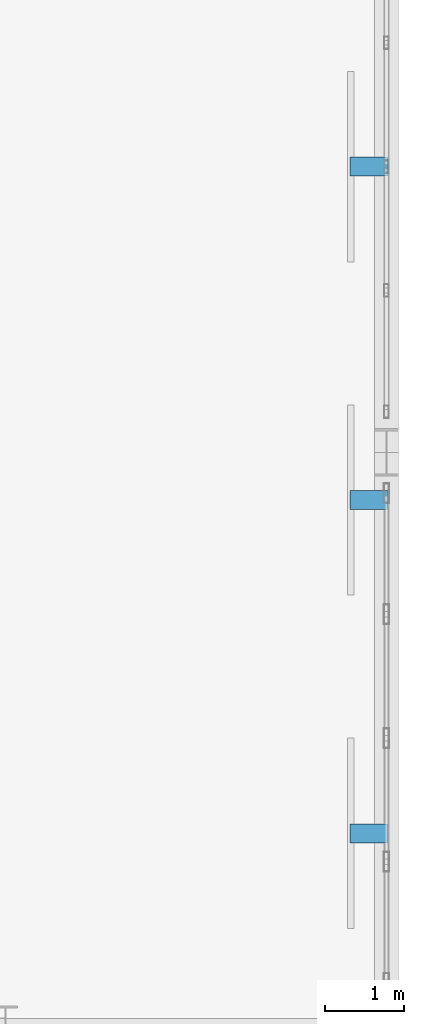
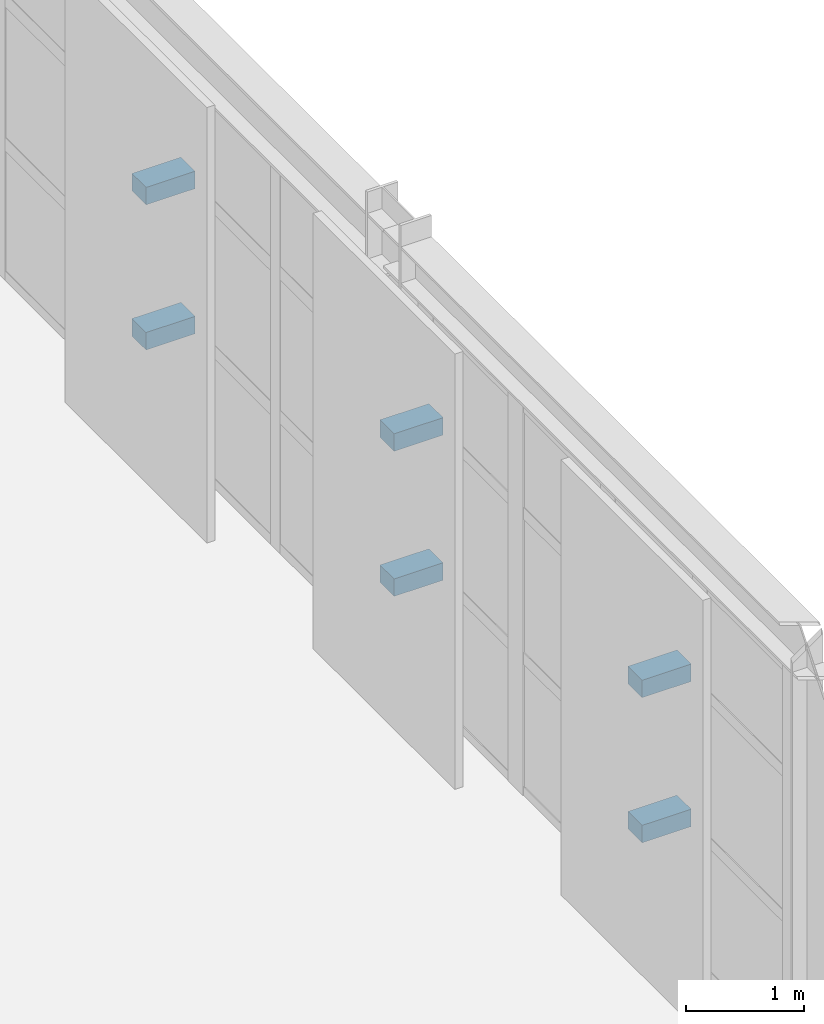
# One storey, part 69 of 83: 6 discrete accessories.
"""IFC4 building model written with IfcOpenShell, lengths in metres."""

from ifc_helpers import new_model, si_unit, direction, frame, origin, origin_2d, place, context, subcontext, project, spatial, rectangle, extrude, material, type_object, element, save


model = new_model("IFC4")

# Units and contexts
model_context = context("Model", 3, precision=1e-05, world=origin(), true_north=direction((0.0, 1.0)))
body_context = subcontext(model_context, "Body", "Model", "MODEL_VIEW")
ifc_project = project(units=[si_unit("LENGTHUNIT", "METRE"), si_unit("AREAUNIT", "SQUARE_METRE"), si_unit("VOLUMEUNIT", "CUBIC_METRE"), si_unit("PLANEANGLEUNIT", "RADIAN"), si_unit("MASSUNIT", "GRAM", prefix="KILO")], contexts=[model_context])

# Site, building, storey
site_placement = place(None, origin())
site = spatial("IfcSite", under=ifc_project, at=site_placement, CompositionType="ELEMENT")
building_placement = place(site_placement, origin())
building = spatial("IfcBuilding", under=site, at=building_placement, Name="Solvadek Multi-Sports Hall", CompositionType="ELEMENT")
storey_placement = place(building_placement, origin())
storey = spatial("IfcBuildingStorey", under=building, at=storey_placement, Name="L00", CompositionType="ELEMENT", Elevation=0.0)

# Discrete accessories
ifc_material = material(Name="Steel E250 (250 MPa)", Category="steel")
discrete_accessory_type = type_object("IfcDiscreteAccessoryType", Name="ENV-BRK-CLEAT", PredefinedType="BRACKET", material=ifc_material)
for number, where, z_axis, x_axis, name in (
    (1, (161.179931640625, 51.60009765625, 1.330078125), (0.0, 0.0, 1.0), (1.0, 0.0, 0.0), "L00 Climbing Wall Stand-Off Bracket #1b"),
    (2, (161.179931640625, 51.60009765625, 2.830078125), (0.0, 0.0, 1.0), (1.0, 0.0, 0.0), "L00 Climbing Wall Stand-Off Bracket #1t"),
    (3, (161.179931640625, 55.800048828125, 1.330078125), (0.0, 0.0, 1.0), (1.0, 0.0, 0.0), "L00 Climbing Wall Stand-Off Bracket #2b"),
    (4, (161.179931640625, 55.800048828125, 2.830078125), (0.0, 0.0, 1.0), (1.0, 0.0, 0.0), "L00 Climbing Wall Stand-Off Bracket #2t"),
    (5, (161.179931640625, 60.0, 1.330078125), (0.0, 0.0, 1.0), (1.0, 0.0, 0.0), "L00 Climbing Wall Stand-Off Bracket #3b"),
    (6, (161.179931640625, 60.0, 2.830078125), (0.0, 0.0, 1.0), (1.0, 0.0, 0.0), "L00 Climbing Wall Stand-Off Bracket #3t"),
):
    element("IfcDiscreteAccessory", number, at=place(storey_placement, frame(where, z_axis=z_axis, x_axis=x_axis)), inside=storey, type_object=discrete_accessory_type, Name=name, PredefinedType="BRACKET", context=body_context, shape_type="SweptSolid", body=[
        extrude(rectangle(XDim=0.47998046875, YDim=0.239990234375, at=origin_2d()), origin(), (0.0, 0.0, 1.0), 0.179931640625),
    ])

save(model, "model.ifc")
